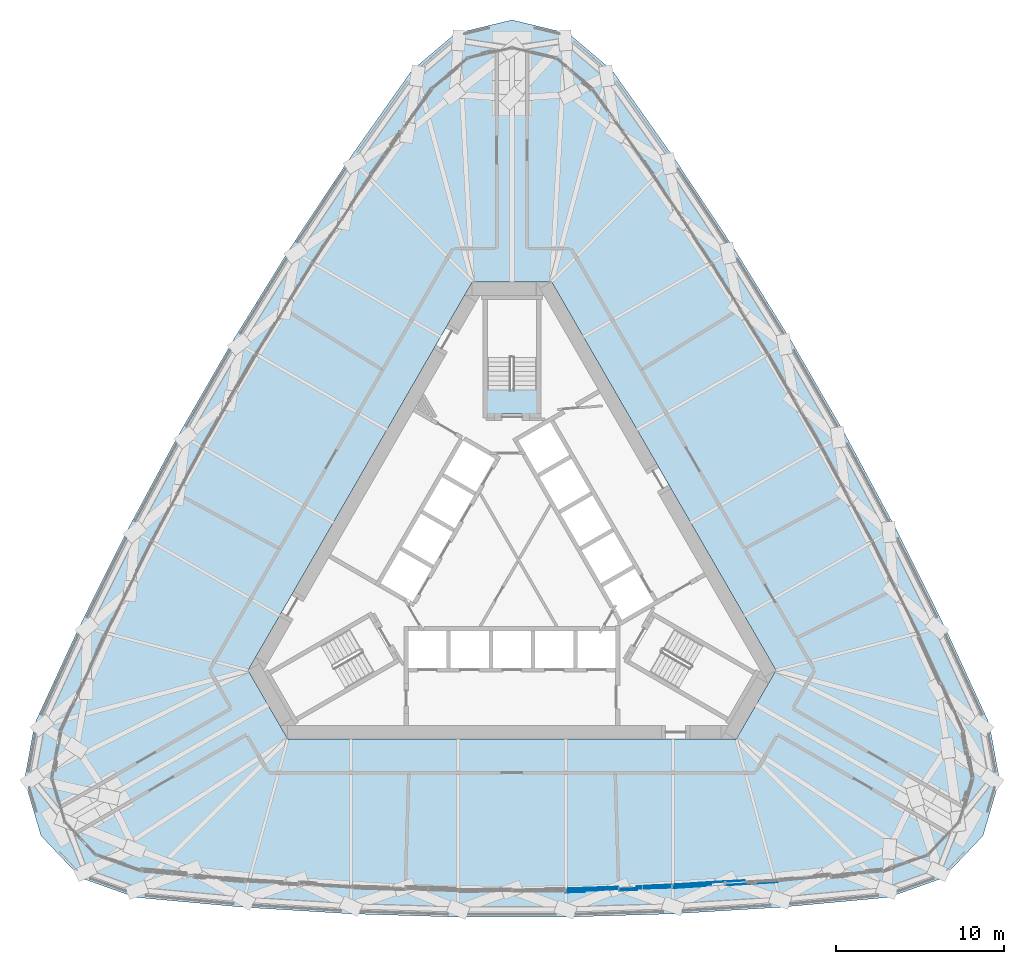
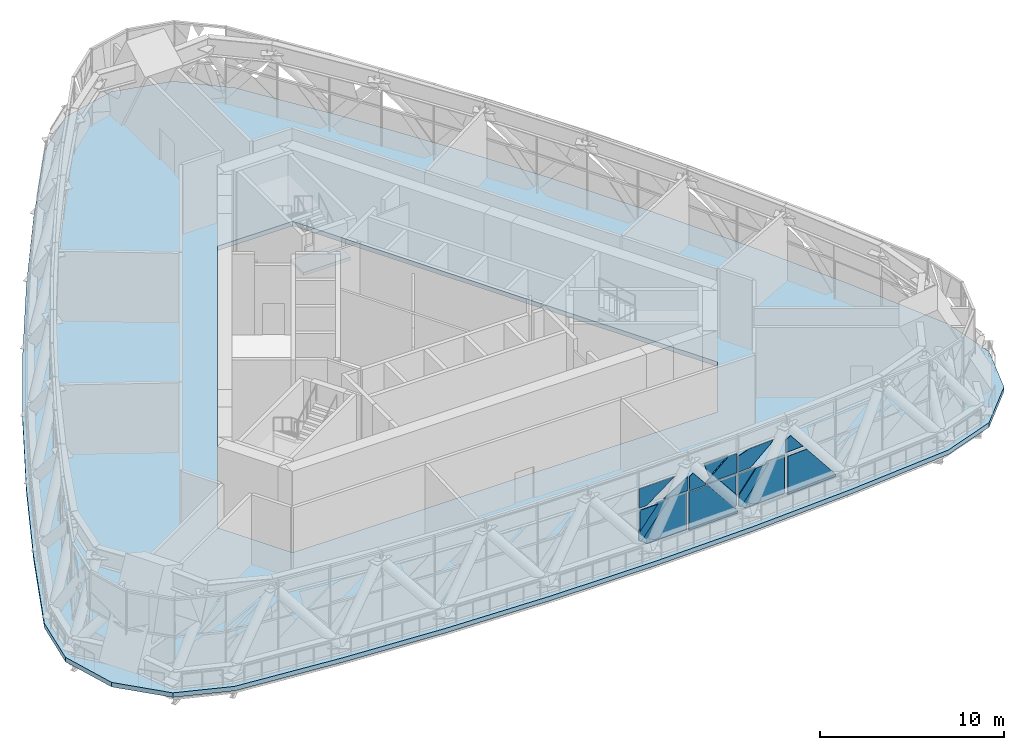
# One storey, part 13 of 35: 17 plates, 2 slabs, 2 elements without a shape of their own.
"""IFC4 building model written with IfcOpenShell, lengths in metres."""

from ifc_helpers import new_model, si_unit, direction, frame, origin, place, context, subcontext, project, spatial, polyline, outline, extrude, material, layer, layer_set, type_object, element, aggregate, save


model = new_model("IFC4")

# Units and contexts
model_context = context("Model", 3, precision=1e-05, world=origin(), true_north=direction((0.0, 1.0)))
body_context = subcontext(model_context, "Body", "Model", "MODEL_VIEW")
ifc_project = project(units=[si_unit("LENGTHUNIT", "METRE"), si_unit("AREAUNIT", "SQUARE_METRE"), si_unit("VOLUMEUNIT", "CUBIC_METRE"), si_unit("PLANEANGLEUNIT", "RADIAN"), si_unit("MASSUNIT", "GRAM", prefix="KILO")], contexts=[model_context])

# Site, building, storey
site_placement = place(None, origin())
site = spatial("IfcSite", under=ifc_project, at=site_placement, CompositionType="ELEMENT")
building_placement = place(site_placement, origin())
building = spatial("IfcBuilding", under=site, at=building_placement, Name="Mestral Congress Tower", CompositionType="ELEMENT")
storey_placement = place(building_placement, frame((0.0, 0.0, 196.199951171875)))
storey = spatial("IfcBuildingStorey", under=building, at=storey_placement, Name="L46", CompositionType="ELEMENT", Elevation=196.199951171875)

# Slab
ifc_material_1 = material(Name="Concrete C35/45", Category="concrete")
ifc_layer_1 = layer(ifc_material_1, 0.300048828125)
ifc_layer_set_1 = layer_set([ifc_layer_1], Name="Concrete C35/45")
slab_type_1 = type_object("IfcSlabType", Name="Composite floor slab 300", PredefinedType="FLOOR", material=ifc_layer_set_1)
slab_1_placement = place(storey_placement, frame((0.0, 0.0, -0.300048828125)))
element("IfcSlab", 1, at=slab_1_placement, inside=storey, type_object=slab_type_1, Name="SL-L46", PredefinedType="FLOOR", context=body_context, shape_type="SweptSolid", body=[
    extrude(outline(polyline([(-22.455078125, -19.880126953125), (-25.68212890625, -18.731689453125), (-28.073974609375, -16.20849609375), (-29.06298828125, -12.87548828125), (-28.444091796875, -9.506591796875), (-25.73779296875, -3.63720703125), (-22.8759765625, 2.1025390625), (-19.84033203125, 7.751953125), (-16.633544921875, 13.30615234375), (-13.2587890625, 18.760009765625), (-9.71923828125, 24.1083984375), (-5.9892578125, 29.38671875), (-3.381103515625, 31.607177734375), (0.0, 32.4169921875), (3.381103515625, 31.607177734375), (5.9892578125, 29.38671875), (9.71923828125, 24.1083984375), (13.2587890625, 18.760009765625), (16.633544921875, 13.30615234375), (19.84033203125, 7.751953125), (22.8759765625, 2.1025390625), (25.73779296875, -3.63720703125), (28.444091796875, -9.506591796875), (29.06298828125, -12.87548828125), (28.073974609375, -16.20849609375), (25.68212890625, -18.731689453125), (22.455078125, -19.880126953125), (16.018798828125, -20.47119140625), (9.6171875, -20.862548828125), (3.206787109375, -21.05810546875), (-3.206787109375, -21.05810546875), (-9.6171875, -20.862548828125), (-16.018798828125, -20.47119140625), (-22.455078125, -19.880126953125)]), holes=[polyline([(-2.3671875, 16.800048828125), (-15.73291015625, -6.35009765625), (-13.36572265625, -10.449951171875), (13.36572265625, -10.449951171875), (15.73291015625, -6.35009765625), (2.3671875, 16.800048828125), (-2.3671875, 16.800048828125)])]), origin(), (0.0, 0.0, 1.0), 0.300048828125),
])

# Stair, slab
ifc_material_2 = material(Name="Concrete C60/75", Category="concrete")
stair_type = type_object("IfcStairType", Name="Exit stair 1400", PredefinedType="HALF_TURN_STAIR", material=ifc_material_2)
placement = place(storey_placement, origin())
stair = element("IfcStair", 2, at=placement, inside=storey, type_object=stair_type, Name="L46 ST2", PredefinedType="HALF_TURN_STAIR")
ifc_layer_2 = layer(ifc_material_2, 0.199951171875)
ifc_layer_set_2 = layer_set([ifc_layer_2], Name="Concrete C60/75")
slab_type_2 = type_object("IfcSlabType", Name="Exit stair landing 200", PredefinedType="LANDING", material=ifc_layer_set_2)
slab_2_placement = place(storey_placement, frame((0.0, 0.0, 2.5)))
slab_2 = element("IfcSlab", 3, at=slab_2_placement, type_object=slab_type_2, Name="ST2 landing 2", PredefinedType="LANDING", context=body_context, shape_type="SweptSolid", body=[
    extrude(outline(polyline([(1.485107421875, 8.93994140625), (-1.485107421875, 8.93994140625), (-1.485107421875, 10.360107421875), (1.485107421875, 10.360107421875), (1.485107421875, 8.93994140625)])), origin(), (0.0, 0.0, 1.0), 0.199951171875),
])
aggregate(stair, [slab_2])

# Curtain wall, plates
ifc_material_3 = material(Name="Clear low-emissivity double glazing", Category="glass")
curtain_wall_type = type_object("IfcCurtainWallType", Name="Facade refuge band screen", PredefinedType="USERDEFINED", material=ifc_material_3)
curtain_wall = element("IfcCurtainWall", 4, at=placement, inside=storey, type_object=curtain_wall_type, Name="Facade refuge band screen face 1", ObjectType="CURTAIN WALL", PredefinedType="USERDEFINED")
ifc_material_4 = material(Name="Anodised aluminium", Category="aluminium")
ifc_layer_3 = layer(ifc_material_4, 0.028076171875)
ifc_layer_set_3 = layer_set([ifc_layer_3], Name="Anodised aluminium")
plate_type_1 = type_object("IfcPlateType", Name="Facade refuge band screen brace cover panel", PredefinedType="CURTAIN_PANEL", material=ifc_layer_set_3)
plate_1_placement = place(storey_placement, frame((5.1533203125, -19.412109375, 2.5400390625), z_axis=(0.030604983759, -0.999529695634, 0.001929381987), x_axis=(-0.63349321306, -0.02089018598, -0.773466191334)))
plate_1 = element("IfcPlate", 5, at=plate_1_placement, type_object=plate_type_1, Name="Facade refuge band screen brace cover panel", PredefinedType="CURTAIN_PANEL", context=body_context, shape_type="SweptSolid", body=[
    extrude(outline(polyline([(0.0, 0.0), (2.832596714362544, 4.440892098500626e-16), (2.8326471369709694, -0.1887994171541647), (2.3093560829422257, -0.6175643195480005), (0.5062528870373364, -0.6177787354681963), (0.0, 0.0)])), origin(), (0.0, 0.0, -1.0), 0.028076171875),
])
plate_2_placement = place(storey_placement, frame((4.77978515625, -19.453369140625, 2.66015625), z_axis=(0.030607458879, -0.999529734055, 0.001869278156), x_axis=(0.861782514043, 0.02733669407, 0.506540821304)))
plate_2 = element("IfcPlate", 6, at=plate_2_placement, type_object=plate_type_1, Name="Facade refuge band screen brace cover panel", PredefinedType="CURTAIN_PANEL", context=body_context, shape_type="SweptSolid", body=[
    extrude(outline(polyline([(0.0, 0.0), (1.8040369520917474, 1.1102230246251565e-16), (1.341103931828393, -0.787883197757294), (0.0, 0.0)])), origin(), (0.0, 0.0, -1.0), 0.028076171875),
])
plate_3_placement = place(storey_placement, frame((3.214599609375, -19.53515625, 2.66015625), z_axis=(0.030557659105, -0.999531172016, 0.001914585542), x_axis=(-1.4963e-07, 0.001915475485, 0.999998165475)))
plate_3 = element("IfcPlate", 7, at=plate_3_placement, type_object=plate_type_1, Name="Facade refuge band screen brace cover panel", PredefinedType="CURTAIN_PANEL", context=body_context, shape_type="SweptSolid", body=[
    extrude(outline(polyline([(0.0, 0.0), (1.2778343634891915, 0.0), (1.2779663690046832, -2.2608216070407785), (2.7054096999133015e-05, -0.4635952113766874), (0.0, 0.0)])), origin(), (0.0, 0.0, -1.0), 0.028076171875),
])
plate_4_placement = place(storey_placement, frame((9.512939453125, -19.22705078125, 0.4697265625), z_axis=(0.030680438727, -0.99952705422, 0.002092501128), x_axis=(-0.780123614632, -0.025254533615, -0.625115472873)))
plate_4 = element("IfcPlate", 8, at=plate_4_placement, type_object=plate_type_1, Name="Facade refuge band screen brace cover panel", PredefinedType="CURTAIN_PANEL", context=body_context, shape_type="SweptSolid", body=[
    extrude(outline(polyline([(0.0, 0.0), (0.19059002020148277, 1.3877787807814457e-17), (0.1902892160886982, -2.8048464926637804), (-0.4277920723546531, -2.309833236341741), (-0.4276294126101953, -0.5342636042072019), (0.0, 0.0)])), origin(), (0.0, 0.0, -1.0), 0.028076171875),
])
plate_5_placement = place(storey_placement, frame((9.514404296875, -19.27880859375, 2.66015625), z_axis=(0.030470214525, -0.999533502441, 0.002084112485), x_axis=(-0.999535673199, -0.030470280655, 2.083e-08)))
plate_5 = element("IfcPlate", 9, at=plate_5_placement, type_object=plate_type_1, Name="Facade refuge band screen brace cover panel", PredefinedType="CURTAIN_PANEL", context=body_context, shape_type="SweptSolid", body=[
    extrude(outline(polyline([(0.0, 0.0), (2.115972092532562, 2.710505431213761e-20), (0.53605645688766, -1.2778347952405726), (-8.180274980598736e-05, -1.2778348504840422), (0.0, 0.0)])), origin(), (0.0, 0.0, -1.0), 0.028076171875),
])
plate_6_placement = place(storey_placement, frame((8.9755859375, -19.198486328125, 3.93798828125), z_axis=(0.030579893321, -0.999530230378, 0.002046627748), x_axis=(-0.777067230182, -0.02506156815, -0.628918466559)))
plate_6 = element("IfcPlate", 10, at=plate_6_placement, type_object=plate_type_1, Name="Facade refuge band screen brace cover panel", PredefinedType="CURTAIN_PANEL", context=body_context, shape_type="SweptSolid", body=[
    extrude(outline(polyline([(0.0, 0.0), (1.5391781758633853, 1.1102230246251565e-16), (1.185551141978513, -0.9590291327941702), (0.0, 0.0)])), origin(), (0.0, 0.0, -1.0), 0.028076171875),
])
plate_7_placement = place(storey_placement, frame((6.635986328125, -19.472412109375, 3.75), z_axis=(0.030460373482, -0.999534032125, 0.001970855273), x_axis=(0.624754944722, 0.017499924934, -0.780624757277)))
plate_7 = element("IfcPlate", 11, at=plate_7_placement, type_object=plate_type_1, Name="Facade refuge band screen brace cover panel", PredefinedType="CURTAIN_PANEL", context=body_context, shape_type="SweptSolid", body=[
    extrude(outline(polyline([(0.0, 0.0), (1.3298144623282746, -1.1102230246251565e-16), (1.3300688321235261, -0.08249487054685345), (0.7012674141913028, -0.8678718795718948), (-0.039834590651593726, -0.27475475777226105), (0.0, 0.0)])), origin(), (0.0, 0.0, -1.0), 0.028076171875),
])
plate_8_placement = place(storey_placement, frame((11.53759765625, -19.21630859375, 2.5400390625), z_axis=(0.061024227705, -0.998134381434, 0.001949418662), x_axis=(-0.637006421227, -0.040448942925, -0.769796533073)))
plate_8 = element("IfcPlate", 12, at=plate_8_placement, type_object=plate_type_1, Name="Facade refuge band screen brace cover panel", PredefinedType="CURTAIN_PANEL", context=body_context, shape_type="SweptSolid", body=[
    extrude(outline(polyline([(0.0, 0.0), (2.853394668969698, 2.220446049250313e-16), (2.8534099618538176, -0.18361579864974598), (2.3289794535282766, -0.6186736701464716), (0.5130208343944347, -0.6187216701223949), (0.0, 0.0)])), origin(), (0.0, 0.0, -1.0), 0.028076171875),
])
plate_9_placement = place(storey_placement, frame((10.307373046875, -19.228515625, 3.93798828125), z_axis=(0.060942633232, -0.998139146464, 0.00205906568), x_axis=(0.998141262387, 0.060942762662, 1.16105e-07)))
plate_9 = element("IfcPlate", 13, at=plate_9_placement, type_object=plate_type_1, Name="Facade refuge band screen brace cover panel", PredefinedType="CURTAIN_PANEL", context=body_context, shape_type="SweptSolid", body=[
    extrude(outline(polyline([(0.0, 0.0), (1.5649258830448176, -2.710505431213761e-20), (1.3904927323150431, -0.2065437484578469), (0.06906737521972393, -1.2778344880453005), (-0.7341907793147744, -1.2778346412884574), (-0.734056749365992, -0.22265658099319463), (0.0, 0.0)])), origin(), (0.0, 0.0, -1.0), 0.028076171875),
])
plate_10_placement = place(storey_placement, frame((12.743896484375, -18.9619140625, 2.66015625), z_axis=(0.060970425535, -0.99813768649, 0.00194062302), x_axis=(7.639797e-06, 0.001944706806, 0.999998109027)))
plate_10 = element("IfcPlate", 14, at=plate_10_placement, type_object=plate_type_1, Name="Facade refuge band screen brace cover panel", PredefinedType="CURTAIN_PANEL", context=body_context, shape_type="SweptSolid", body=[
    extrude(outline(polyline([(0.0, 0.0), (0.8256853558779551, -1.3552527156068805e-20), (1.0154241709039697, -0.3279950313085764), (0.00014299163265526352, -1.1315059224157922), (0.0, 0.0)])), origin(), (0.0, 0.0, -1.0), 0.028076171875),
])
ifc_layer_4 = layer(ifc_material_3, 0.028076171875)
ifc_layer_set_4 = layer_set([ifc_layer_4], Name="Clear low-emissivity double glazing")
plate_type_2 = type_object("IfcPlateType", Name="Facade refuge band screen panel", PredefinedType="CURTAIN_PANEL", material=ifc_layer_set_4)
plate_11_placement = place(storey_placement, frame((3.216552734375, -19.597412109375, 2.5400390625), z_axis=(0.030547766213, -0.999531455313, 0.001924531071), x_axis=(0.99953330636, 0.030547822785, 0.0)))
plate_11 = element("IfcPlate", 15, at=plate_11_placement, type_object=plate_type_2, Name="Refuge screen glass unit", PredefinedType="CURTAIN_PANEL", context=body_context, shape_type="SweptSolid", body=[
    extrude(outline(polyline([(0.0, 0.0), (1.142867353300056, 0.0), (-8.203761001743621e-05, -1.3947779736305592), (0.0, 0.0)])), origin(), (0.0, 0.0, -1.0), 0.028076171875),
])
plate_12_placement = place(storey_placement, frame((6.330810546875, -19.2841796875, 2.5400390625), z_axis=(0.030529711597, -0.999531942583, 0.001957668774), x_axis=(9.7133232e-05, -0.001955614911, -0.999998083066)))
plate_12 = element("IfcPlate", 16, at=plate_12_placement, type_object=plate_type_2, Name="Refuge screen glass unit", PredefinedType="CURTAIN_PANEL", context=body_context, shape_type="SweptSolid", body=[
    extrude(outline(polyline([(0.0, 0.0), (2.5400437660275816, 2.710505431213761e-20), (2.5399484713685117, -2.5502617187402556), (2.1908110390488877, -2.9762115739246258), (-4.447358082225545e-05, -1.1809653505469526), (0.0, 0.0)])), origin(), (0.0, 0.0, -1.0), 0.028076171875),
])
plate_13_placement = place(storey_placement, frame((6.39453125, -19.40625, 2.5400390625), z_axis=(0.030561113509, -0.999530867207, 0.002015897404), x_axis=(0.999532898175, 0.030561175781, 8.6428e-08)))
plate_13 = element("IfcPlate", 17, at=plate_13_placement, type_object=plate_type_2, Name="Refuge screen glass unit", PredefinedType="CURTAIN_PANEL", context=body_context, shape_type="SweptSolid", body=[
    extrude(outline(polyline([(0.0, 0.0), (1.2205424199406418, 0.0), (3.1224037904366027, -2.37524936214616), (3.122396314969109, -2.5400444411024456), (8.712133965123294e-05, -2.5400442469680167), (0.0, 0.0)])), origin(), (0.0, 0.0, -1.0), 0.028076171875),
])
plate_14_placement = place(storey_placement, frame((9.5107421875, -19.158935546875, 2.5400390625), z_axis=(0.030575418555, -0.999530229587, 0.002112799499), x_axis=(0.0, -0.002113787774, -0.999997765948)))
plate_14 = element("IfcPlate", 18, at=plate_14_placement, type_object=plate_type_2, Name="Refuge screen glass unit", PredefinedType="CURTAIN_PANEL", context=body_context, shape_type="SweptSolid", body=[
    extrude(outline(polyline([(0.0, 0.0), (1.385989424497268, 1.3552527156068805e-20), (7.173254407869225e-05, -1.10989391692231), (0.0, 0.0)])), origin(), (0.0, 0.0, -1.0), 0.028076171875),
])
plate_15_placement = place(storey_placement, frame((12.68310546875, -18.953857421875, 2.5400390625), z_axis=(0.061016467025, -0.998134792463, 0.001981622033), x_axis=(0.000189500012, -0.001973736945, -0.999998034224)))
plate_15 = element("IfcPlate", 19, at=plate_15_placement, type_object=plate_type_2, Name="Refuge screen glass unit", PredefinedType="CURTAIN_PANEL", context=body_context, shape_type="SweptSolid", body=[
    extrude(outline(polyline([(0.0, 0.0), (2.5400442811387216, 5.421010862427522e-20), (2.539867658153093, -2.5667867883448894), (2.1963328167851524, -2.9808276840678625), (-7.95523303383148e-05, -1.1593903819635856), (0.0, 0.0)])), origin(), (0.0, 0.0, -1.0), 0.028076171875),
])
plate_16_placement = place(storey_placement, frame((9.57470703125, -19.276123046875, 2.5400390625), z_axis=(0.060870113118, -0.998143481199, 0.002102443571), x_axis=(0.998145687238, 0.06087024765, 0.0)))
plate_16 = element("IfcPlate", 20, at=plate_16_placement, type_object=plate_type_2, Name="Refuge screen glass unit", PredefinedType="CURTAIN_PANEL", context=body_context, shape_type="SweptSolid", body=[
    extrude(outline(polyline([(0.0, 0.0), (1.1591318147924445, 0.0), (6.535710826217528e-05, -1.3979523084160188), (0.0, 0.0)])), origin(), (0.0, 0.0, -1.0), 0.028076171875),
])
plate_17_placement = place(storey_placement, frame((12.756591796875, -19.169921875, 2.5400390625), z_axis=(0.060986282195, -0.998136743894, 0.001927140847), x_axis=(0.998138597366, 0.060986395605, 8.4204e-08)))
plate_17 = element("IfcPlate", 21, at=plate_17_placement, type_object=plate_type_2, Name="Refuge screen glass unit", PredefinedType="CURTAIN_PANEL", context=body_context, shape_type="SweptSolid", body=[
    extrude(outline(polyline([(0.0, 0.0), (1.240104607246457, 0.0), (3.1222283106390334, -2.379399300484944), (3.12221340785545, -2.540044003044405), (-5.4312834162440176e-05, -2.540043766846838), (0.0, 0.0)])), origin(), (0.0, 0.0, -1.0), 0.028076171875),
])
aggregate(curtain_wall, [plate_11, plate_12, plate_1, plate_2, plate_3, plate_13, plate_14, plate_4, plate_5, plate_6, plate_7, plate_15, plate_16, plate_8, plate_9, plate_17, plate_10])

save(model, "model.ifc")
